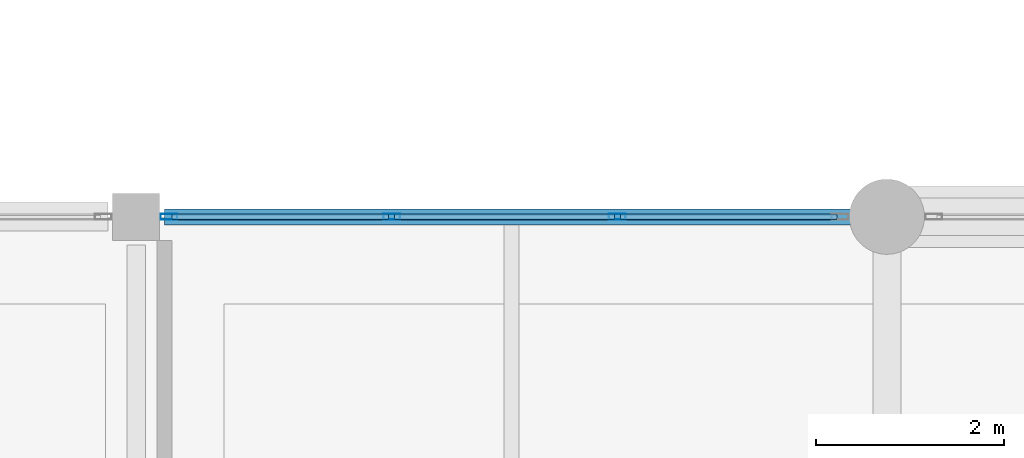
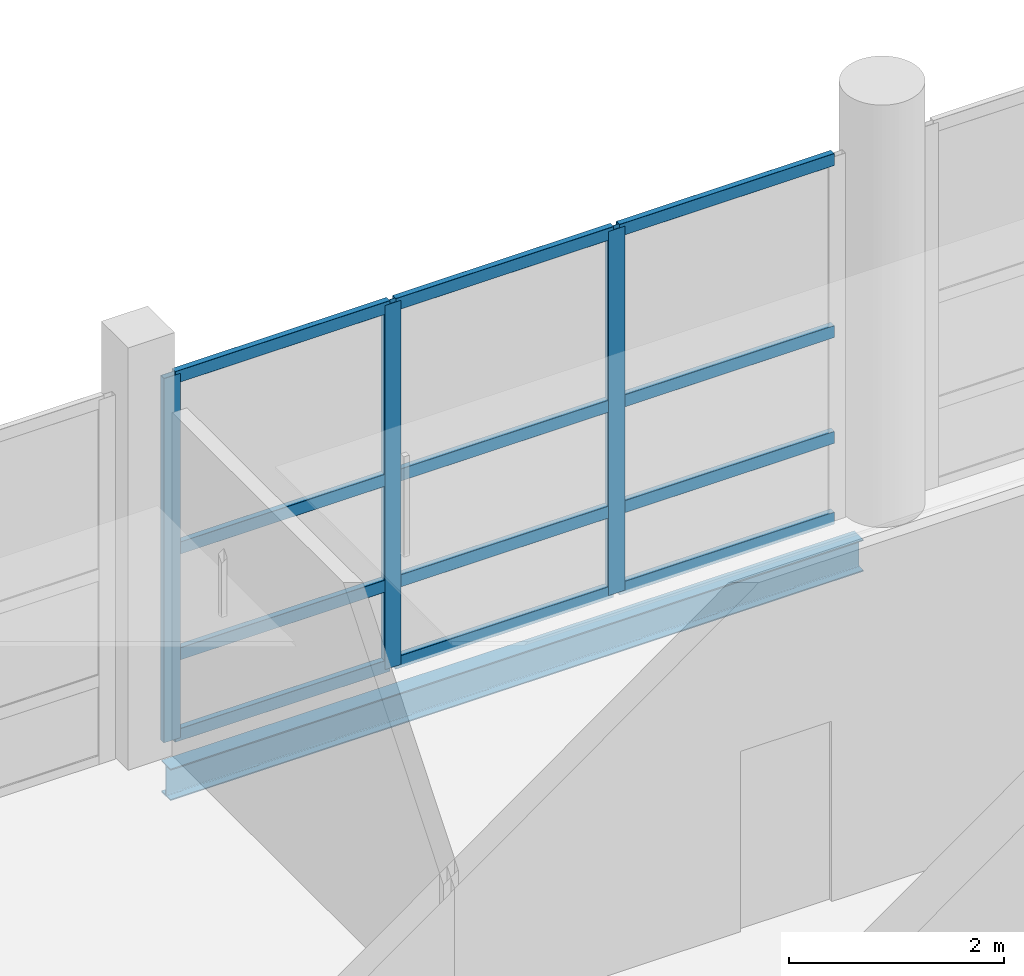
# One storey, part 23 of 107: 15 members, 1 beam, 1 element without a shape of its own.
"""IFC4 building model written with IfcOpenShell, lengths in metres."""

from ifc_helpers import new_model, si_unit, direction, frame, origin, origin_2d, place, context, subcontext, project, spatial, hollow_rectangle, i_section, extrude, material, material_profile, profile_set, type_object, element, aggregate, save


model = new_model("IFC4")

# Units and contexts
model_context = context("Model", 3, precision=1e-05, world=origin(), true_north=direction((0.0, 1.0)))
body_context = subcontext(model_context, "Body", "Model", "MODEL_VIEW")
ifc_project = project(units=[si_unit("LENGTHUNIT", "METRE"), si_unit("AREAUNIT", "SQUARE_METRE"), si_unit("VOLUMEUNIT", "CUBIC_METRE"), si_unit("PLANEANGLEUNIT", "RADIAN"), si_unit("MASSUNIT", "GRAM", prefix="KILO")], contexts=[model_context])

# Site, building, storey
site_placement = place(None, origin())
site = spatial("IfcSite", under=ifc_project, at=site_placement, CompositionType="ELEMENT")
building_placement = place(site_placement, origin())
building = spatial("IfcBuilding", under=site, at=building_placement, Name="Khelvaren Railside Concert Hall", CompositionType="ELEMENT")
storey_placement = place(building_placement, frame((0.0, 0.0, 15.0)))
storey = spatial("IfcBuildingStorey", under=building, at=storey_placement, Name="L03", CompositionType="ELEMENT", Elevation=15.0)

# Curtain wall, members
ifc_material_1 = material(Name="Double-glazed low-E dark acoustic glass", Category="glass")
curtain_wall_type = type_object("IfcCurtainWallType", Name="CW65", PredefinedType="USERDEFINED", material=ifc_material_1)
curtain_wall_placement = place(storey_placement, origin())
curtain_wall = element("IfcCurtainWall", 1, at=curtain_wall_placement, inside=storey, type_object=curtain_wall_type, Name="Unitised Curtain Wall CW-V3-L03-N-120", ObjectType="UNITISED CURTAIN WALL", PredefinedType="USERDEFINED")
ifc_material_2 = material(Name="Anodised architectural aluminium 6063-T6", Category="aluminium")
ifc_material_profile_1 = material_profile(ifc_material_2, hollow_rectangle(XDim=0.06494140625, YDim=0.179931640625, WallThickness=0.00390625, InnerFilletRadius=0.001953125, OuterFilletRadius=0.00390625, at=origin_2d()), Name="CWM 65x180x4")
ifc_profile_set_1 = profile_set([ifc_material_profile_1], Name="Anodised architectural aluminium 6063-T6")
member_type_1 = type_object("IfcMemberType", Name="CWM63", PredefinedType="MULLION", material=ifc_profile_set_1)
member_1_placement = place(storey_placement, frame((120.35009765625, 15.199951171875, 0.0), z_axis=(0.0, 0.0, 1.0), x_axis=(0.0, 1.0, 0.0)))
member_1 = element("IfcMember", 2, at=member_1_placement, type_object=member_type_1, Name="CW65 mullion 1", PredefinedType="MULLION", context=body_context, shape_type="SweptSolid", body=[
    extrude(hollow_rectangle(XDim=0.06494140625, YDim=0.179931640625, WallThickness=0.00390625, InnerFilletRadius=0.001953125, OuterFilletRadius=0.00390625, at=origin_2d()), origin(), (0.0, 0.0, 1.0), 4.139892578125),
])
member_2_placement = place(storey_placement, frame((122.722412109375, 15.199951171875, 0.0), z_axis=(0.0, 0.0, 1.0), x_axis=(0.0, 1.0, 0.0)))
member_2 = element("IfcMember", 3, at=member_2_placement, type_object=member_type_1, Name="CW65 mullion 2", PredefinedType="MULLION", context=body_context, shape_type="SweptSolid", body=[
    extrude(hollow_rectangle(XDim=0.06494140625, YDim=0.179931640625, WallThickness=0.00390625, InnerFilletRadius=0.001953125, OuterFilletRadius=0.00390625, at=origin_2d()), origin(), (0.0, 0.0, 1.0), 4.139892578125),
])
member_3_placement = place(storey_placement, frame((125.12744140625, 15.199951171875, 0.0), z_axis=(0.0, 0.0, 1.0), x_axis=(0.0, 1.0, 0.0)))
member_3 = element("IfcMember", 4, at=member_3_placement, type_object=member_type_1, Name="CW65 mullion 3", PredefinedType="MULLION", context=body_context, shape_type="SweptSolid", body=[
    extrude(hollow_rectangle(XDim=0.06494140625, YDim=0.179931640625, WallThickness=0.00390625, InnerFilletRadius=0.001953125, OuterFilletRadius=0.00390625, at=origin_2d()), origin(), (0.0, 0.0, 1.0), 4.139892578125),
])
ifc_material_profile_2 = material_profile(ifc_material_2, hollow_rectangle(XDim=0.06494140625, YDim=0.139892578125, WallThickness=0.00390625, InnerFilletRadius=0.001953125, OuterFilletRadius=0.00390625, at=origin_2d()), Name="CWT 65x140x4")
ifc_profile_set_2 = profile_set([ifc_material_profile_2], Name="Anodised architectural aluminium 6063-T6")
member_type_2 = type_object("IfcMemberType", Name="CWT72", PredefinedType="USERDEFINED", material=ifc_profile_set_2)
member_4_placement = place(storey_placement, frame((120.382568359375, 15.199951171875, 0.032470703125), z_axis=(1.0, 0.0, 0.0), x_axis=(0.0, 1.0, 0.0)))
member_4 = element("IfcMember", 5, at=member_4_placement, type_object=member_type_2, Name="CW65 transom 1.1", ObjectType="TRANSOM", PredefinedType="USERDEFINED", context=body_context, shape_type="SweptSolid", body=[
    extrude(hollow_rectangle(XDim=0.06494140625, YDim=0.139892578125, WallThickness=0.00390625, InnerFilletRadius=0.001953125, OuterFilletRadius=0.00390625, at=origin_2d()), origin(), (0.0, 0.0, 1.0), 2.307373046875),
])
member_5_placement = place(storey_placement, frame((120.382568359375, 15.199951171875, 0.949951171875), z_axis=(1.0, 0.0, 0.0), x_axis=(0.0, 1.0, 0.0)))
member_5 = element("IfcMember", 6, at=member_5_placement, type_object=member_type_2, Name="CW65 transom 1.2", ObjectType="TRANSOM", PredefinedType="USERDEFINED", context=body_context, shape_type="SweptSolid", body=[
    extrude(hollow_rectangle(XDim=0.06494140625, YDim=0.139892578125, WallThickness=0.00390625, InnerFilletRadius=0.001953125, OuterFilletRadius=0.00390625, at=origin_2d()), origin(), (0.0, 0.0, 1.0), 2.307373046875),
])
member_6_placement = place(storey_placement, frame((120.382568359375, 15.199951171875, 2.15283203125), z_axis=(1.0, 0.0, 0.0), x_axis=(0.0, 1.0, 0.0)))
member_6 = element("IfcMember", 7, at=member_6_placement, type_object=member_type_2, Name="CW65 transom 1.3", ObjectType="TRANSOM", PredefinedType="USERDEFINED", context=body_context, shape_type="SweptSolid", body=[
    extrude(hollow_rectangle(XDim=0.06494140625, YDim=0.139892578125, WallThickness=0.00390625, InnerFilletRadius=0.001953125, OuterFilletRadius=0.00390625, at=origin_2d()), origin(), (0.0, 0.0, 1.0), 2.307373046875),
])
member_7_placement = place(storey_placement, frame((120.382568359375, 15.199951171875, 4.107421875), z_axis=(1.0, 0.0, 0.0), x_axis=(0.0, 1.0, 0.0)))
member_7 = element("IfcMember", 8, at=member_7_placement, type_object=member_type_2, Name="CW65 transom 1.4", ObjectType="TRANSOM", PredefinedType="USERDEFINED", context=body_context, shape_type="SweptSolid", body=[
    extrude(hollow_rectangle(XDim=0.06494140625, YDim=0.139892578125, WallThickness=0.00390625, InnerFilletRadius=0.001953125, OuterFilletRadius=0.00390625, at=origin_2d()), origin(), (0.0, 0.0, 1.0), 2.307373046875),
])
member_8_placement = place(storey_placement, frame((122.7548828125, 15.199951171875, 0.032470703125), z_axis=(1.0, 0.0, 0.0), x_axis=(0.0, 1.0, 0.0)))
member_8 = element("IfcMember", 9, at=member_8_placement, type_object=member_type_2, Name="CW65 transom 2.1", ObjectType="TRANSOM", PredefinedType="USERDEFINED", context=body_context, shape_type="SweptSolid", body=[
    extrude(hollow_rectangle(XDim=0.06494140625, YDim=0.139892578125, WallThickness=0.00390625, InnerFilletRadius=0.001953125, OuterFilletRadius=0.00390625, at=origin_2d()), origin(), (0.0, 0.0, 1.0), 2.340087890625),
])
member_9_placement = place(storey_placement, frame((122.7548828125, 15.199951171875, 0.949951171875), z_axis=(1.0, 0.0, 0.0), x_axis=(0.0, 1.0, 0.0)))
member_9 = element("IfcMember", 10, at=member_9_placement, type_object=member_type_2, Name="CW65 transom 2.2", ObjectType="TRANSOM", PredefinedType="USERDEFINED", context=body_context, shape_type="SweptSolid", body=[
    extrude(hollow_rectangle(XDim=0.06494140625, YDim=0.139892578125, WallThickness=0.00390625, InnerFilletRadius=0.001953125, OuterFilletRadius=0.00390625, at=origin_2d()), origin(), (0.0, 0.0, 1.0), 2.340087890625),
])
member_10_placement = place(storey_placement, frame((122.7548828125, 15.199951171875, 2.15283203125), z_axis=(1.0, 0.0, 0.0), x_axis=(0.0, 1.0, 0.0)))
member_10 = element("IfcMember", 11, at=member_10_placement, type_object=member_type_2, Name="CW65 transom 2.3", ObjectType="TRANSOM", PredefinedType="USERDEFINED", context=body_context, shape_type="SweptSolid", body=[
    extrude(hollow_rectangle(XDim=0.06494140625, YDim=0.139892578125, WallThickness=0.00390625, InnerFilletRadius=0.001953125, OuterFilletRadius=0.00390625, at=origin_2d()), origin(), (0.0, 0.0, 1.0), 2.340087890625),
])
member_11_placement = place(storey_placement, frame((122.7548828125, 15.199951171875, 4.107421875), z_axis=(1.0, 0.0, 0.0), x_axis=(0.0, 1.0, 0.0)))
member_11 = element("IfcMember", 12, at=member_11_placement, type_object=member_type_2, Name="CW65 transom 2.4", ObjectType="TRANSOM", PredefinedType="USERDEFINED", context=body_context, shape_type="SweptSolid", body=[
    extrude(hollow_rectangle(XDim=0.06494140625, YDim=0.139892578125, WallThickness=0.00390625, InnerFilletRadius=0.001953125, OuterFilletRadius=0.00390625, at=origin_2d()), origin(), (0.0, 0.0, 1.0), 2.340087890625),
])
member_12_placement = place(storey_placement, frame((125.159912109375, 15.199951171875, 0.032470703125), z_axis=(1.0, 0.0, 0.0), x_axis=(0.0, 1.0, 0.0)))
member_12 = element("IfcMember", 13, at=member_12_placement, type_object=member_type_2, Name="CW65 transom 3.1", ObjectType="TRANSOM", PredefinedType="USERDEFINED", context=body_context, shape_type="SweptSolid", body=[
    extrude(hollow_rectangle(XDim=0.06494140625, YDim=0.139892578125, WallThickness=0.00390625, InnerFilletRadius=0.001953125, OuterFilletRadius=0.00390625, at=origin_2d()), origin(), (0.0, 0.0, 1.0), 2.3076171875),
])
member_13_placement = place(storey_placement, frame((125.159912109375, 15.199951171875, 0.949951171875), z_axis=(1.0, 0.0, 0.0), x_axis=(0.0, 1.0, 0.0)))
member_13 = element("IfcMember", 14, at=member_13_placement, type_object=member_type_2, Name="CW65 transom 3.2", ObjectType="TRANSOM", PredefinedType="USERDEFINED", context=body_context, shape_type="SweptSolid", body=[
    extrude(hollow_rectangle(XDim=0.06494140625, YDim=0.139892578125, WallThickness=0.00390625, InnerFilletRadius=0.001953125, OuterFilletRadius=0.00390625, at=origin_2d()), origin(), (0.0, 0.0, 1.0), 2.3076171875),
])
member_14_placement = place(storey_placement, frame((125.159912109375, 15.199951171875, 2.15283203125), z_axis=(1.0, 0.0, 0.0), x_axis=(0.0, 1.0, 0.0)))
member_14 = element("IfcMember", 15, at=member_14_placement, type_object=member_type_2, Name="CW65 transom 3.3", ObjectType="TRANSOM", PredefinedType="USERDEFINED", context=body_context, shape_type="SweptSolid", body=[
    extrude(hollow_rectangle(XDim=0.06494140625, YDim=0.139892578125, WallThickness=0.00390625, InnerFilletRadius=0.001953125, OuterFilletRadius=0.00390625, at=origin_2d()), origin(), (0.0, 0.0, 1.0), 2.3076171875),
])
member_15_placement = place(storey_placement, frame((125.159912109375, 15.199951171875, 4.107421875), z_axis=(1.0, 0.0, 0.0), x_axis=(0.0, 1.0, 0.0)))
member_15 = element("IfcMember", 16, at=member_15_placement, type_object=member_type_2, Name="CW65 transom 3.4", ObjectType="TRANSOM", PredefinedType="USERDEFINED", context=body_context, shape_type="SweptSolid", body=[
    extrude(hollow_rectangle(XDim=0.06494140625, YDim=0.139892578125, WallThickness=0.00390625, InnerFilletRadius=0.001953125, OuterFilletRadius=0.00390625, at=origin_2d()), origin(), (0.0, 0.0, 1.0), 2.3076171875),
])
aggregate(curtain_wall, [member_1, member_2, member_3, member_4, member_5, member_6, member_7, member_8, member_9, member_10, member_11, member_12, member_13, member_14, member_15])

# Beam
ifc_material_3 = material(Name="Steel S355", Category="steel")
ifc_material_profile_3 = material_profile(ifc_material_3, i_section(OverallWidth=0.169921875, OverallDepth=0.360107421875, WebThickness=0.008056640625, FlangeThickness=0.0126953125, FilletRadius=0.01806640625, at=origin_2d()), Name="IPE 360")
ifc_profile_set_3 = profile_set([ifc_material_profile_3], Name="Steel S355")
beam_type = type_object("IfcBeamType", Name="SP74", PredefinedType="SPANDREL", material=ifc_profile_set_3)
beam_placement = place(storey_placement, frame((120.300048828125, 15.199951171875, -0.4599609375), z_axis=(1.0, 0.0, 0.0), x_axis=(0.0, 1.0, 0.0)))
element("IfcBeam", 17, at=beam_placement, inside=storey, type_object=beam_type, Name="V3 L03 Spandrel X3.8", PredefinedType="SPANDREL", context=body_context, shape_type="SweptSolid", body=[
    extrude(i_section(OverallWidth=0.169921875, OverallDepth=0.360107421875, WebThickness=0.008056640625, FlangeThickness=0.0126953125, FilletRadius=0.01806640625, at=origin_2d()), origin(), (0.0, 0.0, 1.0), 7.449951171875),
])

save(model, "model.ifc")
